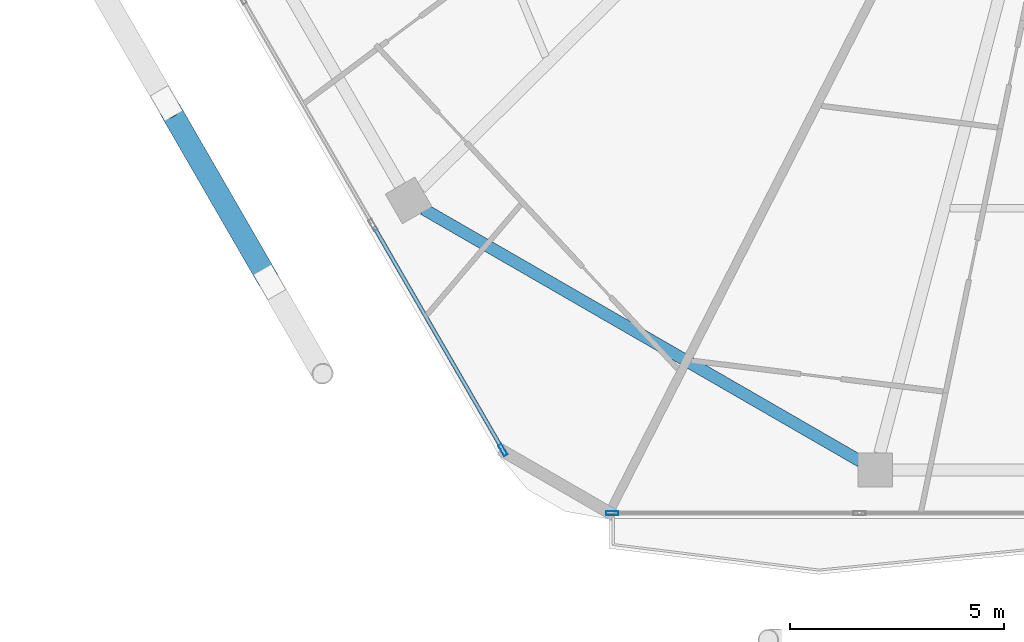
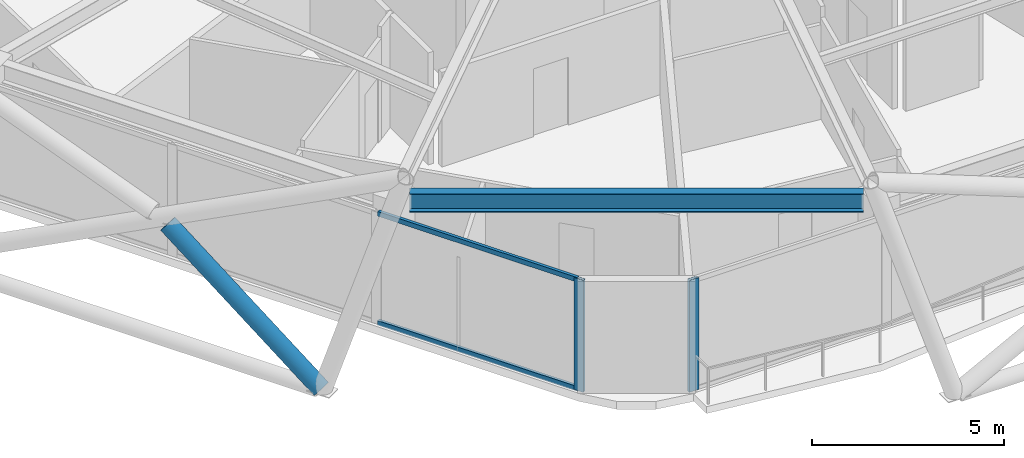
# One storey, part 2 of 23: 5 members, 1 beam, 2 elements without a shape of their own.
"""IFC4 building model written with IfcOpenShell, lengths in metres."""

from ifc_helpers import new_model, si_unit, direction, frame, origin, origin_2d, place, context, subcontext, project, spatial, hollow_rectangle, hollow_circle, i_section, extrude, material, material_profile, profile_set, type_object, element, aggregate, save


model = new_model("IFC4")

# Units and contexts
model_context = context("Model", 3, precision=1e-05, world=origin(), true_north=direction((0.0, 1.0)))
body_context = subcontext(model_context, "Body", "Model", "MODEL_VIEW")
ifc_project = project(units=[si_unit("LENGTHUNIT", "METRE"), si_unit("AREAUNIT", "SQUARE_METRE"), si_unit("VOLUMEUNIT", "CUBIC_METRE"), si_unit("PLANEANGLEUNIT", "RADIAN"), si_unit("MASSUNIT", "GRAM", prefix="KILO")], contexts=[model_context])

# Site, building, storey
site_placement = place(None, origin())
site = spatial("IfcSite", under=ifc_project, at=site_placement, CompositionType="ELEMENT")
building_placement = place(site_placement, origin())
building = spatial("IfcBuilding", under=site, at=building_placement, Name="Zuhravey Tower", CompositionType="ELEMENT")
storey_placement = place(building_placement, frame((0.0, 0.0, 323.39990234375)))
storey = spatial("IfcBuildingStorey", under=building, at=storey_placement, Name="L82", CompositionType="ELEMENT", Elevation=323.39990234375)

# Curtain wall, member
ifc_material_1 = material(Name="Thermally broken anodised aluminium", Category="aluminium")
curtain_wall_type = type_object("IfcCurtainWallType", Name="Zone 3-4 High-Rise Curtain Wall CW4", PredefinedType="NOTDEFINED", material=ifc_material_1)
curtain_wall_1_placement = place(storey_placement, origin())
curtain_wall_1 = element("IfcCurtainWall", 1, at=curtain_wall_1_placement, inside=storey, type_object=curtain_wall_type, Name="L82 CW4 CW-L82-F5-2", PredefinedType="NOTDEFINED")
ifc_material_2 = material(Name="Anodised aluminium", Category="aluminium")
ifc_material_profile_1 = material_profile(ifc_material_2, hollow_rectangle(XDim=0.090087890625, YDim=0.284912109375, WallThickness=0.0048828125, at=origin_2d()), Name="ALU-RHS-90x285x5")
ifc_profile_set_1 = profile_set([ifc_material_profile_1], Name="Anodised aluminium")
member_type_1 = type_object("IfcMemberType", Name="Curtain-Wall Mullion 90x180", PredefinedType="MULLION", material=ifc_profile_set_1)
member_1_placement = place(storey_placement, frame((23.8056640625, 7.92578125, 0.0), z_axis=(0.0, 0.0, 1.0), x_axis=(0.0, -1.0, 0.0)))
member_1 = element("IfcMember", 2, at=member_1_placement, type_object=member_type_1, Name="CW4 mullion 3", PredefinedType="MULLION", context=body_context, shape_type="SweptSolid", body=[
    extrude(hollow_rectangle(XDim=0.090087890625, YDim=0.284912109375, WallThickness=0.0048828125, at=origin_2d()), origin(), (0.0, 0.0, 1.0), 3.550048828125),
])
aggregate(curtain_wall_1, [member_1])

# Curtain wall, members
curtain_wall_2_placement = place(storey_placement, origin())
curtain_wall_2 = element("IfcCurtainWall", 3, at=curtain_wall_2_placement, inside=storey, type_object=curtain_wall_type, Name="L82 CW4 CW-L82-F4-1", PredefinedType="NOTDEFINED")
member_2_placement = place(storey_placement, frame((21.248291015625, 9.40234375, 0.0), z_axis=(0.0, 0.0, 1.0), x_axis=(-0.866025511541, -0.49999981336, 0.0)))
member_2 = element("IfcMember", 4, at=member_2_placement, type_object=member_type_1, Name="CW4 mullion 1", PredefinedType="MULLION", context=body_context, shape_type="SweptSolid", body=[
    extrude(hollow_rectangle(XDim=0.090087890625, YDim=0.284912109375, WallThickness=0.0048828125, at=origin_2d()), origin(), (0.0, 0.0, 1.0), 3.550048828125),
])
ifc_material_profile_2 = material_profile(ifc_material_2, hollow_rectangle(XDim=0.090087890625, YDim=0.14990234375, WallThickness=0.0048828125, at=origin_2d()), Name="ALU-RHS-90x150x5")
ifc_profile_set_2 = profile_set([ifc_material_profile_2], Name="Anodised aluminium")
member_type_2 = type_object("IfcMemberType", Name="Curtain-Wall Transom 90x150", PredefinedType="USERDEFINED", material=ifc_profile_set_2)
member_3_placement = place(storey_placement, frame((21.225830078125, 9.44140625, 0.045166015625), z_axis=(-0.499982594807, 0.866035452444, 0.0), x_axis=(-0.866035452444, -0.499982594807, 0.0)))
member_3 = element("IfcMember", 5, at=member_3_placement, type_object=member_type_2, Name="CW4 transom 1.1", ObjectType="TRANSOM", PredefinedType="USERDEFINED", context=body_context, shape_type="SweptSolid", body=[
    extrude(hollow_rectangle(XDim=0.090087890625, YDim=0.14990234375, WallThickness=0.0048828125, at=origin_2d()), origin(), (0.0, 0.0, 1.0), 5.984619140625),
])
member_4_placement = place(storey_placement, frame((21.225830078125, 9.44140625, 3.505126953125), z_axis=(-0.499982594807, 0.866035452444, 0.0), x_axis=(-0.866035452444, -0.499982594807, 0.0)))
member_4 = element("IfcMember", 6, at=member_4_placement, type_object=member_type_2, Name="CW4 transom 1.2", ObjectType="TRANSOM", PredefinedType="USERDEFINED", context=body_context, shape_type="SweptSolid", body=[
    extrude(hollow_rectangle(XDim=0.090087890625, YDim=0.14990234375, WallThickness=0.0048828125, at=origin_2d()), origin(), (0.0, 0.0, 1.0), 5.984619140625),
])
aggregate(curtain_wall_2, [member_2, member_3, member_4])

# Member
ifc_material_3 = material(Name="Steel SM355", Category="steel")
ifc_material_profile_3 = material_profile(ifc_material_3, hollow_circle(Radius=0.25390625, WallThickness=0.02490234375, at=origin_2d()), Name="CHS-508.0x25")
ifc_profile_set_3 = profile_set([ifc_material_profile_3], Name="Steel SM355")
member_type_3 = type_object("IfcMemberType", Name="Exoskeleton Zone 4 Diagrid CHS508x25", PredefinedType="BRACE", material=ifc_profile_set_3)
member_5_placement = place(storey_placement, frame((15.781005859375, 13.35205078125, -0.4423828125), z_axis=(-0.392816281446, 0.680465215045, 0.618597171142), x_axis=(-0.866053230054, -0.499951800389, 0.0)))
element("IfcMember", 7, at=member_5_placement, inside=storey, type_object=member_type_3, Name="L82 Face 4 Split Diagrid Brace 3A", PredefinedType="BRACE", context=body_context, shape_type="SweptSolid", body=[
    extrude(hollow_circle(Radius=0.25390625, WallThickness=0.02490234375, at=origin_2d()), origin(), (0.0, 0.0, 1.0), 5.864013671875),
])

# Beam
ifc_material_profile_4 = material_profile(ifc_material_3, i_section(OverallWidth=0.280029296875, OverallDepth=0.580078125, WebThickness=0.011962890625, FlangeThickness=0.01904296875, at=origin_2d()), Name="H-580x280x12x19")
ifc_profile_set_4 = profile_set([ifc_material_profile_4], Name="Steel SM355")
beam_type = type_object("IfcBeamType", Name="Perimeter Ring Beam H580x280", PredefinedType="BEAM", material=ifc_profile_set_4)
beam_placement = place(storey_placement, frame((19.394287109375, 15.036865234375, 3.260009765625), z_axis=(0.866023977509, -0.500002470373, 0.0), x_axis=(0.500002470373, 0.866023977509, 0.0)))
element("IfcBeam", 8, at=beam_placement, inside=storey, type_object=beam_type, Name="L82 PB4 BM-L82-PB-08", PredefinedType="BEAM", context=body_context, shape_type="SweptSolid", body=[
    extrude(i_section(OverallWidth=0.280029296875, OverallDepth=0.580078125, WebThickness=0.011962890625, FlangeThickness=0.01904296875, at=origin_2d()), origin(), (0.0, 0.0, 1.0), 11.798828125),
])

save(model, "model.ifc")
